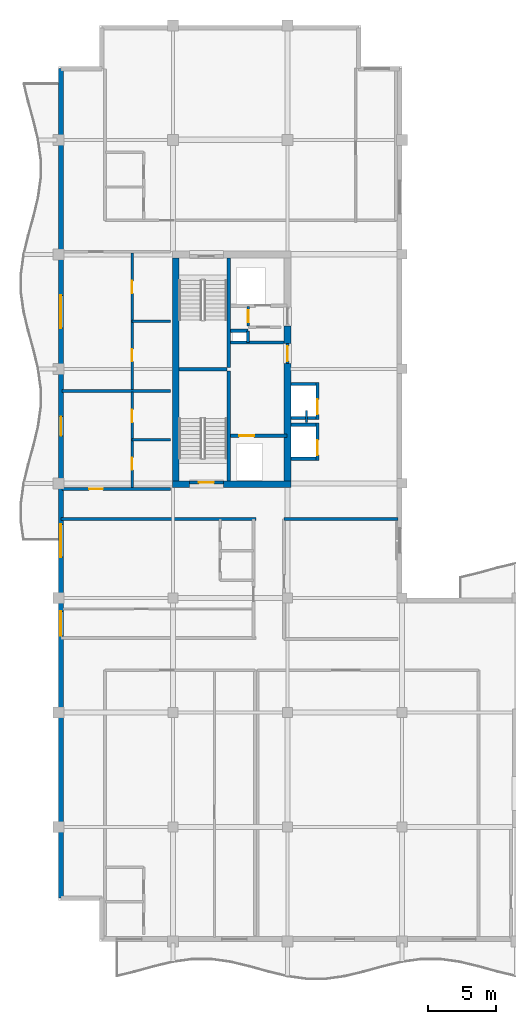
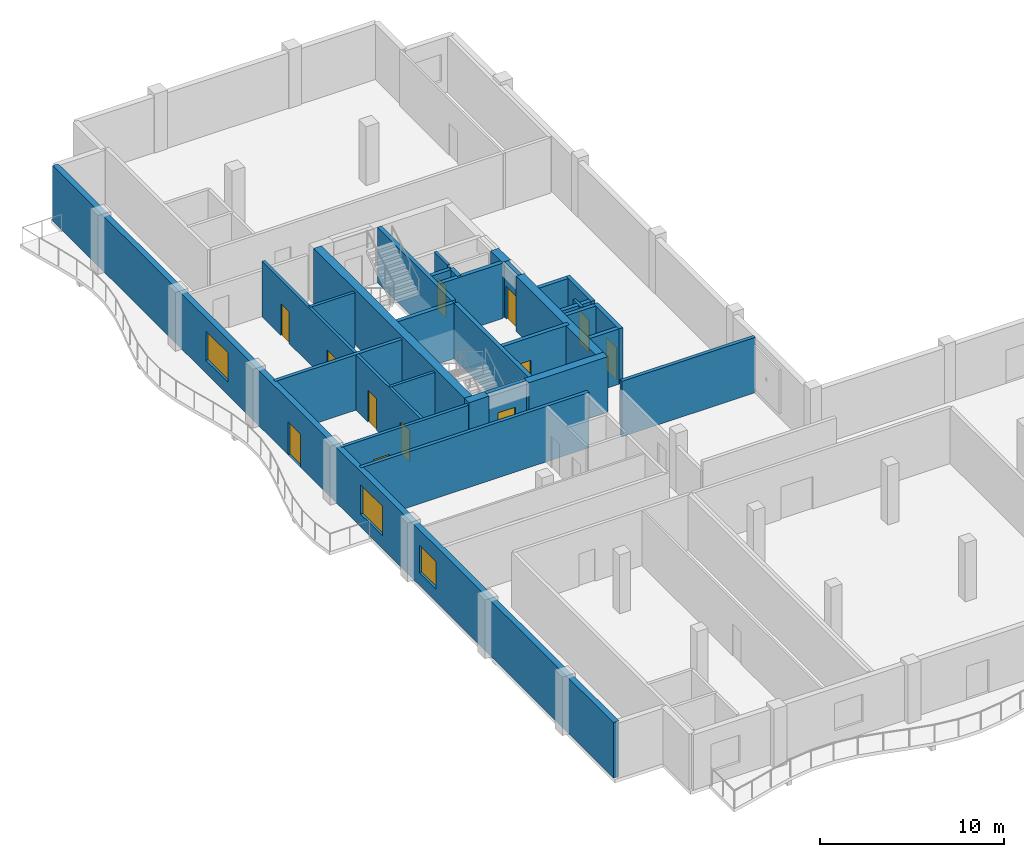
# One storey, part 6 of 11: 31 walls, 12 doors, 3 windows, 15 openings.
"""IFC4 building model written with IfcOpenShell, lengths in metres."""

from ifc_helpers import new_model, si_unit, direction, frame, frame_2d, origin, place, context, subcontext, project, spatial, rectangle, extrude, material, layer, layer_set, type_object, element, fill, save


model = new_model("IFC4")

# Units and contexts
model_context = context("Model", 3, precision=1e-05, world=origin(), true_north=direction((0.0, 1.0)))
body_context = subcontext(model_context, "Body", "Model", "MODEL_VIEW")
ifc_project = project(units=[si_unit("LENGTHUNIT", "METRE"), si_unit("AREAUNIT", "SQUARE_METRE"), si_unit("VOLUMEUNIT", "CUBIC_METRE"), si_unit("PLANEANGLEUNIT", "RADIAN"), si_unit("MASSUNIT", "GRAM", prefix="KILO")], contexts=[model_context])

# Site, building, storey
site_placement = place(None, origin())
site = spatial("IfcSite", under=ifc_project, at=site_placement, CompositionType="ELEMENT")
building_placement = place(site_placement, origin())
building = spatial("IfcBuilding", under=site, at=building_placement, Name="Koriwani Terraces Tower", CompositionType="ELEMENT")
storey_placement = place(building_placement, frame((0.0, 0.0, 343.699951171875)))
storey = spatial("IfcBuildingStorey", under=building, at=storey_placement, Name="L85", CompositionType="ELEMENT", Elevation=343.699951171875)

# Walls
ifc_material_1 = material(Name="Concrete C50/60", Category="concrete")
ifc_layer_1 = layer(ifc_material_1, 0.5, Name="Concrete C50/60")
ifc_layer_set_1 = layer_set([ifc_layer_1], Name="Concrete C50/60")
wall_type_1 = type_object("IfcWallType", Name="WALL_CORE_RC_500", PredefinedType="SHEAR", material=ifc_layer_set_1)
wall_1_placement = place(storey_placement, frame((16.75, 41.949951171875, 0.0), z_axis=(0.0, 0.0, 1.0), x_axis=(1.0, 0.0, 0.0)))
element("IfcWall", 1, at=wall_1_placement, inside=storey, type_object=wall_type_1, Name="L85 West Split Core Shear Wall S1", PredefinedType="SHEAR", context=body_context, shape_type="SweptSolid", body=[
    extrude(rectangle(XDim=1.25, YDim=0.5, at=frame_2d((0.625, 0.0))), origin(), (0.0, 0.0, 1.0), 3.670166015625),
])
wall_2_placement = place(storey_placement, frame((20.5, 41.949951171875, 0.0), z_axis=(0.0, 0.0, 1.0), x_axis=(1.0, 0.0, 0.0)))
element("IfcWall", 2, at=wall_2_placement, inside=storey, type_object=wall_type_1, Name="L85 West Split Core Shear Wall S2", PredefinedType="SHEAR", context=body_context, shape_type="SweptSolid", body=[
    extrude(rectangle(XDim=4.949951171875, YDim=0.5, at=frame_2d((2.47509765625, 0.0))), origin(), (0.0, 0.0, 1.0), 3.670166015625),
])
wall_3_placement = place(storey_placement, frame((17.0, 42.199951171875, 0.0), z_axis=(0.0, 0.0, 1.0), x_axis=(0.0, 1.0, 0.0)))
element("IfcWall", 3, at=wall_3_placement, inside=storey, type_object=wall_type_1, Name="L85 West Split Core Shear Wall W1", PredefinedType="SHEAR", context=body_context, shape_type="SweptSolid", body=[
    extrude(rectangle(XDim=16.35009765625, YDim=0.5, at=frame_2d((8.175048828125, 0.0))), origin(), (0.0, 0.0, 1.0), 3.670166015625),
])
wall_4_placement = place(storey_placement, frame((25.199951171875, 42.199951171875, 0.0), z_axis=(0.0, 0.0, 1.0), x_axis=(0.0, 1.0, 0.0)))
element("IfcWall", 4, at=wall_4_placement, inside=storey, type_object=wall_type_1, Name="L85 West Split Core Shear Wall E1", PredefinedType="SHEAR", context=body_context, shape_type="SweptSolid", body=[
    extrude(rectangle(XDim=8.60009765625, YDim=0.5, at=frame_2d((4.300048828125, 0.0))), origin(), (0.0, 0.0, 1.0), 3.670166015625),
])
wall_5_placement = place(storey_placement, frame((25.199951171875, 52.280029296875, 0.0), z_axis=(0.0, 0.0, 1.0), x_axis=(0.0, 1.0, 0.0)))
element("IfcWall", 5, at=wall_5_placement, inside=storey, type_object=wall_type_1, Name="L85 West Split Core Shear Wall E2", PredefinedType="SHEAR", context=body_context, shape_type="SweptSolid", body=[
    extrude(rectangle(XDim=1.27001953125, YDim=0.5, at=frame_2d((0.635009765625, 0.0))), origin(), (0.0, 0.0, 1.0), 3.670166015625),
])

# Wall, opening, door
ifc_material_2 = material(Name="Autoclaved Cellular Concrete Blockwork", Category="masonry")
ifc_layer_2 = layer(ifc_material_2, 0.199951171875, Name="Autoclaved Cellular Concrete Blockwork")
ifc_layer_set_2 = layer_set([ifc_layer_2], Name="Autoclaved Cellular Concrete Blockwork")
wall_type_2 = type_object("IfcWallType", Name="WALL_CORRIDOR_200", PredefinedType="PARTITIONING", material=ifc_layer_set_2)
wall_6_placement = place(storey_placement, frame((8.64990234375, 41.60009765625, 0.0), z_axis=(0.0, 0.0, 1.0), x_axis=(1.0, 0.0, 0.0)))
wall_6 = element("IfcWall", 6, at=wall_6_placement, inside=storey, type_object=wall_type_2, Name="L85 Interior Wall WRZ4-WS-L85", PredefinedType="PARTITIONING", context=body_context, shape_type="SweptSolid", body=[
    extrude(rectangle(XDim=7.9501953125, YDim=0.199951171875, at=frame_2d((3.97509765625, 0.0))), origin(), (0.0, 0.0, 1.0), 3.670166015625),
])
opening_1_placement = place(wall_6_placement, frame((2.0, 0.0, 0.0)))
opening_1 = element("IfcOpeningElement", 7, at=opening_1_placement, cuts=wall_6, Name="Opening D-05", PredefinedType="OPENING", context=body_context, shape_type="SweptSolid", body=[
    extrude(rectangle(XDim=1.0, YDim=2.14990234375, at=frame_2d((0.5, 1.074951171875))), frame((0.0, 0.10986328125, 0.0), z_axis=(0.0, -1.0, 0.0), x_axis=(1.0, 0.0, 0.0)), (0.0, 0.0, 1.0), 0.219970703125),
])
ifc_material_3 = material(Name="Architectural Oak Fire Door", Category="wood")
door_type_1 = type_object("IfcDoorType", Name="DOOR_SUITE_ENTRY_1000X2150", OperationType="NOTDEFINED", PredefinedType="DOOR", material=ifc_material_3)
door_1_placement = place(opening_1_placement, origin())
door_1 = element("IfcDoor", 8, at=door_1_placement, inside=storey, type_object=door_type_1, Name="Apartment 85RW1 Entrance Door", OperationType="SINGLE_SWING_RIGHT", OverallHeight=2.14990234375, OverallWidth=1.0, PredefinedType="DOOR", context=body_context, shape_type="SweptSolid", body=[
    extrude(rectangle(XDim=1.0, YDim=2.14990234375, at=frame_2d((0.5, 1.074951171875))), frame((0.0, 0.02490234375, 0.0), z_axis=(0.0, -1.0, 0.0), x_axis=(1.0, 0.0, 0.0)), (0.0, 0.0, 1.0), 0.050048828125),
])
fill(opening_1, door_1)

# Walls
ifc_layer_3 = layer(ifc_material_2, 0.219970703125, Name="Autoclaved Cellular Concrete Blockwork")
ifc_layer_set_3 = layer_set([ifc_layer_3], Name="Autoclaved Cellular Concrete Blockwork")
wall_type_3 = type_object("IfcWallType", Name="WALL_DEMISING_220", PredefinedType="PARTITIONING", material=ifc_layer_set_3)
wall_7_placement = place(storey_placement, frame((24.949951171875, 39.39990234375, 0.0), z_axis=(0.0, 0.0, 1.0), x_axis=(1.0, 0.0, 0.0)))
element("IfcWall", 9, at=wall_7_placement, inside=storey, type_object=wall_type_3, Name="L85 Interior Wall WIC4WN-L85", PredefinedType="PARTITIONING", context=body_context, shape_type="SweptSolid", body=[
    extrude(rectangle(XDim=8.35009765625, YDim=0.219970703125, at=frame_2d((4.175048828125, 0.0))), origin(), (0.0, 0.0, 1.0), 3.670166015625),
])
wall_8_placement = place(storey_placement, frame((8.64990234375, 48.800048828125, 0.0), z_axis=(0.0, 0.0, 1.0), x_axis=(1.0, 0.0, 0.0)))
element("IfcWall", 10, at=wall_8_placement, inside=storey, type_object=wall_type_3, Name="L85 Interior Wall WRZ4-WM-L85", PredefinedType="PARTITIONING", context=body_context, shape_type="SweptSolid", body=[
    extrude(rectangle(XDim=7.9501953125, YDim=0.219970703125, at=frame_2d((3.97509765625, 0.0))), origin(), (0.0, 0.0, 1.0), 3.670166015625),
])
wall_9_placement = place(storey_placement, frame((8.60009765625, 39.39990234375, 0.0), z_axis=(0.0, 0.0, 1.0), x_axis=(1.0, 0.0, 0.0)))
element("IfcWall", 11, at=wall_9_placement, inside=storey, type_object=wall_type_3, Name="L85 Interior Wall WRDEME-L85-NE", PredefinedType="PARTITIONING", context=body_context, shape_type="SweptSolid", body=[
    extrude(rectangle(XDim=14.27978515625, YDim=0.219970703125, at=frame_2d((7.139892578125, 0.0))), origin(), (0.0, 0.0, 1.0), 3.670166015625),
])

# Wall, openings, door, windows
ifc_layer_4 = layer(ifc_material_1, 0.35009765625, Name="Concrete C50/60")
ifc_layer_set_4 = layer_set([ifc_layer_4], Name="Concrete C50/60")
wall_type_4 = type_object("IfcWallType", Name="WALL_EXT_BRUTALIST_350", PredefinedType="STANDARD", material=ifc_layer_set_4)
wall_10_placement = place(storey_placement, frame((8.574951171875, 11.574951171875, 0.0), z_axis=(0.0, 0.0, 1.0), x_axis=(0.0, 1.0, 0.0)))
wall_10 = element("IfcWall", 12, at=wall_10_placement, inside=storey, type_object=wall_type_4, Name="L85 Fair-Faced Brutalist Exterior Wall (W)", PredefinedType="STANDARD", context=body_context, shape_type="SweptSolid", body=[
    extrude(rectangle(XDim=60.85009765625, YDim=0.35009765625, at=frame_2d((30.425048828125, 0.0))), origin(), (0.0, 0.0, 1.0), 3.670166015625),
])
opening_2_placement = place(wall_10_placement, frame((33.925048828125, 0.0, 0.0)))
opening_2 = element("IfcOpeningElement", 13, at=opening_2_placement, cuts=wall_10, Name="Opening D-09", PredefinedType="OPENING", context=body_context, shape_type="SweptSolid", body=[
    extrude(rectangle(XDim=1.39990234375, YDim=2.199951171875, at=frame_2d((0.699951171875, 1.10009765625))), frame((0.0, 0.18505859375, 0.0), z_axis=(0.0, -1.0, 0.0), x_axis=(1.0, 0.0, 0.0)), (0.0, 0.0, 1.0), 0.3701171875),
])
opening_3_placement = place(wall_10_placement, frame((25.02490234375, 0.0, 0.85009765625)))
opening_3 = element("IfcOpeningElement", 14, at=opening_3_placement, cuts=wall_10, Name="Opening W-03", PredefinedType="OPENING", context=body_context, shape_type="SweptSolid", body=[
    extrude(rectangle(XDim=2.39990234375, YDim=1.949951171875, at=frame_2d((1.199951171875, 0.97509765625))), frame((0.0, 0.18505859375, 0.0), z_axis=(0.0, -1.0, 0.0), x_axis=(1.0, 0.0, 0.0)), (0.0, 0.0, 1.0), 0.3701171875),
])
opening_4_placement = place(wall_10_placement, frame((41.824951171875, 0.0, 0.85009765625)))
opening_4 = element("IfcOpeningElement", 15, at=opening_4_placement, cuts=wall_10, Name="Opening W-03", PredefinedType="OPENING", context=body_context, shape_type="SweptSolid", body=[
    extrude(rectangle(XDim=2.39990234375, YDim=1.949951171875, at=frame_2d((1.199951171875, 0.97509765625))), frame((0.0, 0.18505859375, 0.0), z_axis=(0.0, -1.0, 0.0), x_axis=(1.0, 0.0, 0.0)), (0.0, 0.0, 1.0), 0.3701171875),
])
opening_5_placement = place(wall_10_placement, frame((19.25, 0.0, 0.85009765625)))
opening_5 = element("IfcOpeningElement", 16, at=opening_5_placement, cuts=wall_10, Name="Opening W-04", PredefinedType="OPENING", context=body_context, shape_type="SweptSolid", body=[
    extrude(rectangle(XDim=1.800048828125, YDim=1.800048828125, at=frame_2d((0.89990234375, 0.89990234375))), frame((0.0, 0.18505859375, 0.0), z_axis=(0.0, -1.0, 0.0), x_axis=(1.0, 0.0, 0.0)), (0.0, 0.0, 1.0), 0.3701171875),
])
ifc_material_4 = material(Name="Anodised Bronze Aluminium", Category="aluminium")
door_type_2 = type_object("IfcDoorType", Name="DOOR_BALCONY_GLAZED_1400X2200", OperationType="NOTDEFINED", PredefinedType="DOOR", material=ifc_material_4)
door_2_placement = place(opening_2_placement, origin())
door_2 = element("IfcDoor", 17, at=door_2_placement, inside=storey, type_object=door_type_2, Name="L85 West Balcony Glazed Door", OperationType="SINGLE_SWING_LEFT", OverallHeight=2.199951171875, OverallWidth=1.39990234375, PredefinedType="DOOR", context=body_context, shape_type="SweptSolid", body=[
    extrude(rectangle(XDim=1.39990234375, YDim=2.199951171875, at=frame_2d((0.699951171875, 1.10009765625))), frame((0.0, 0.02490234375, 0.0), z_axis=(0.0, -1.0, 0.0), x_axis=(1.0, 0.0, 0.0)), (0.0, 0.0, 1.0), 0.050048828125),
])
fill(opening_2, door_2)
ifc_material_5 = material(Name="Tempered Laminated Low-E Glass", Category="glass")
window_type_1 = type_object("IfcWindowType", Name="WIN_RES_BED_1800X1800", PartitioningType="DOUBLE_PANEL_VERTICAL", PredefinedType="WINDOW", material=ifc_material_5)
window_1_placement = place(opening_5_placement, origin())
window_1 = element("IfcWindow", 18, at=window_1_placement, inside=storey, type_object=window_type_1, Name="L85 Exterior Window (W-R39)", OverallHeight=1.800048828125, OverallWidth=1.800048828125, PartitioningType="SINGLE_PANEL", PredefinedType="WINDOW", context=body_context, shape_type="SweptSolid", body=[
    extrude(rectangle(XDim=1.800048828125, YDim=1.800048828125, at=frame_2d((0.89990234375, 0.89990234375))), frame((0.0, 0.030029296875, 0.0), z_axis=(0.0, -1.0, 0.0), x_axis=(1.0, 0.0, 0.0)), (0.0, 0.0, 1.0), 0.06005859375),
])
fill(opening_5, window_1)
window_type_2 = type_object("IfcWindowType", Name="WIN_RES_LIVING_2400X1950", PartitioningType="DOUBLE_PANEL_VERTICAL", PredefinedType="WINDOW", material=ifc_material_5)
window_2_placement = place(opening_3_placement, origin())
window_2 = element("IfcWindow", 19, at=window_2_placement, inside=storey, type_object=window_type_2, Name="L85 Exterior Window (W-9)", OverallHeight=1.949951171875, OverallWidth=2.39990234375, PartitioningType="SINGLE_PANEL", PredefinedType="WINDOW", context=body_context, shape_type="SweptSolid", body=[
    extrude(rectangle(XDim=2.39990234375, YDim=1.949951171875, at=frame_2d((1.199951171875, 0.97509765625))), frame((0.0, 0.030029296875, 0.0), z_axis=(0.0, -1.0, 0.0), x_axis=(1.0, 0.0, 0.0)), (0.0, 0.0, 1.0), 0.06005859375),
])
fill(opening_3, window_2)
window_3_placement = place(opening_4_placement, origin())
window_3 = element("IfcWindow", 20, at=window_3_placement, inside=storey, type_object=window_type_2, Name="L85 Exterior Window (W-15)", OverallHeight=1.949951171875, OverallWidth=2.39990234375, PartitioningType="SINGLE_PANEL", PredefinedType="WINDOW", context=body_context, shape_type="SweptSolid", body=[
    extrude(rectangle(XDim=2.39990234375, YDim=1.949951171875, at=frame_2d((1.199951171875, 0.97509765625))), frame((0.0, 0.030029296875, 0.0), z_axis=(0.0, -1.0, 0.0), x_axis=(1.0, 0.0, 0.0)), (0.0, 0.0, 1.0), 0.06005859375),
])
fill(opening_4, window_3)

# Wall, openings, doors
ifc_material_6 = material(Name="Fire-Rated Acoustic Gypsum Partition", Category="masonry")
ifc_layer_5 = layer(ifc_material_6, 0.179931640625, Name="Fire-Rated Acoustic Gypsum Partition")
ifc_layer_set_5 = layer_set([ifc_layer_5], Name="Fire-Rated Acoustic Gypsum Partition")
wall_type_5 = type_object("IfcWallType", Name="WALL_PLUMBING_180", PredefinedType="PLUMBINGWALL", material=ifc_layer_set_5)
wall_11_placement = place(storey_placement, frame((13.800048828125, 41.699951171875, 0.0), z_axis=(0.0, 0.0, 1.0), x_axis=(0.0, 1.0, 0.0)))
wall_11 = element("IfcWall", 21, at=wall_11_placement, inside=storey, type_object=wall_type_5, Name="L85 Interior Wall WRZ4-RW1-PB-L85", PredefinedType="PLUMBINGWALL", context=body_context, shape_type="SweptSolid", body=[
    extrude(rectangle(XDim=7.0, YDim=0.179931640625, at=frame_2d((3.5, 0.0))), origin(), (0.0, 0.0, 1.0), 3.670166015625),
])
opening_6_placement = place(wall_11_placement, frame((1.300048828125, 0.0, 0.0)))
opening_6 = element("IfcOpeningElement", 22, at=opening_6_placement, cuts=wall_11, Name="Opening D-07", PredefinedType="OPENING", context=body_context, shape_type="SweptSolid", body=[
    extrude(rectangle(XDim=0.89990234375, YDim=2.10009765625, at=frame_2d((0.449951171875, 1.050048828125))), frame((0.0, 0.10009765625, 0.0), z_axis=(0.0, -1.0, 0.0), x_axis=(1.0, 0.0, 0.0)), (0.0, 0.0, 1.0), 0.199951171875),
])
opening_7_placement = place(wall_11_placement, frame((4.7900390625, 0.0, 0.0)))
opening_7 = element("IfcOpeningElement", 23, at=opening_7_placement, cuts=wall_11, Name="Opening D-06", PredefinedType="OPENING", context=body_context, shape_type="SweptSolid", body=[
    extrude(rectangle(XDim=0.919921875, YDim=2.10009765625, at=frame_2d((0.4599609375, 1.050048828125))), frame((0.0, 0.10009765625, 0.0), z_axis=(0.0, -1.0, 0.0), x_axis=(1.0, 0.0, 0.0)), (0.0, 0.0, 1.0), 0.199951171875),
])
door_type_3 = type_object("IfcDoorType", Name="DOOR_BATH_INT_900X2100", OperationType="NOTDEFINED", PredefinedType="DOOR", material=ifc_material_3)
door_3_placement = place(opening_6_placement, origin())
door_3 = element("IfcDoor", 24, at=door_3_placement, inside=storey, type_object=door_type_3, Name="Apartment 85RW1 Bathroom Door", OperationType="SINGLE_SWING_RIGHT", OverallHeight=2.10009765625, OverallWidth=0.89990234375, PredefinedType="DOOR", context=body_context, shape_type="SweptSolid", body=[
    extrude(rectangle(XDim=0.89990234375, YDim=2.10009765625, at=frame_2d((0.449951171875, 1.050048828125))), frame((0.0, 0.02490234375, 0.0), z_axis=(0.0, -1.0, 0.0), x_axis=(1.0, 0.0, 0.0)), (0.0, 0.0, 1.0), 0.050048828125),
])
fill(opening_6, door_3)
door_type_4 = type_object("IfcDoorType", Name="DOOR_ROOM_INT_920X2100", OperationType="NOTDEFINED", PredefinedType="DOOR", material=ifc_material_3)
door_4_placement = place(opening_7_placement, origin())
door_4 = element("IfcDoor", 25, at=door_4_placement, inside=storey, type_object=door_type_4, Name="Apartment 85RW1 Kitchen Door", OperationType="SINGLE_SWING_LEFT", OverallHeight=2.10009765625, OverallWidth=0.919921875, PredefinedType="DOOR", context=body_context, shape_type="SweptSolid", body=[
    extrude(rectangle(XDim=0.919921875, YDim=2.10009765625, at=frame_2d((0.4599609375, 1.050048828125))), frame((0.0, 0.02490234375, 0.0), z_axis=(0.0, -1.0, 0.0), x_axis=(1.0, 0.0, 0.0)), (0.0, 0.0, 1.0), 0.050048828125),
])
fill(opening_7, door_4)

# Wall
wall_12_placement = place(storey_placement, frame((13.800048828125, 45.199951171875, 0.0), z_axis=(0.0, 0.0, 1.0), x_axis=(1.0, 0.0, 0.0)))
element("IfcWall", 26, at=wall_12_placement, inside=storey, type_object=wall_type_5, Name="L85 Interior Wall WRZ4-RW1-P2-L85", PredefinedType="PLUMBINGWALL", context=body_context, shape_type="SweptSolid", body=[
    extrude(rectangle(XDim=2.800048828125, YDim=0.179931640625, at=frame_2d((1.39990234375, 0.0))), origin(), (0.0, 0.0, 1.0), 3.670166015625),
])

# Wall, openings, doors
wall_13_placement = place(storey_placement, frame((13.800048828125, 48.89990234375, 0.0), z_axis=(0.0, 0.0, 1.0), x_axis=(0.0, 1.0, 0.0)))
wall_13 = element("IfcWall", 27, at=wall_13_placement, inside=storey, type_object=wall_type_5, Name="L85 Interior Wall WRZ4-RW2-PB-L85", PredefinedType="PLUMBINGWALL", context=body_context, shape_type="SweptSolid", body=[
    extrude(rectangle(XDim=10.0, YDim=0.179931640625, at=frame_2d((5.0, 0.0))), origin(), (0.0, 0.0, 1.0), 3.670166015625),
])
opening_8_placement = place(wall_13_placement, frame((2.050048828125, 0.0, 0.0)))
opening_8 = element("IfcOpeningElement", 28, at=opening_8_placement, cuts=wall_13, Name="Opening D-07", PredefinedType="OPENING", context=body_context, shape_type="SweptSolid", body=[
    extrude(rectangle(XDim=0.89990234375, YDim=2.10009765625, at=frame_2d((0.449951171875, 1.050048828125))), frame((0.0, 0.10009765625, 0.0), z_axis=(0.0, -1.0, 0.0), x_axis=(1.0, 0.0, 0.0)), (0.0, 0.0, 1.0), 0.199951171875),
])
opening_9_placement = place(wall_13_placement, frame((7.0400390625, 0.0, 0.0)))
opening_9 = element("IfcOpeningElement", 29, at=opening_9_placement, cuts=wall_13, Name="Opening D-06", PredefinedType="OPENING", context=body_context, shape_type="SweptSolid", body=[
    extrude(rectangle(XDim=0.919921875, YDim=2.10009765625, at=frame_2d((0.4599609375, 1.050048828125))), frame((0.0, 0.10009765625, 0.0), z_axis=(0.0, -1.0, 0.0), x_axis=(1.0, 0.0, 0.0)), (0.0, 0.0, 1.0), 0.199951171875),
])
door_5_placement = place(opening_8_placement, origin())
door_5 = element("IfcDoor", 30, at=door_5_placement, inside=storey, type_object=door_type_3, Name="Apartment 85RW2 Bathroom Door", OperationType="SINGLE_SWING_RIGHT", OverallHeight=2.10009765625, OverallWidth=0.89990234375, PredefinedType="DOOR", context=body_context, shape_type="SweptSolid", body=[
    extrude(rectangle(XDim=0.89990234375, YDim=2.10009765625, at=frame_2d((0.449951171875, 1.050048828125))), frame((0.0, 0.02490234375, 0.0), z_axis=(0.0, -1.0, 0.0), x_axis=(1.0, 0.0, 0.0)), (0.0, 0.0, 1.0), 0.050048828125),
])
fill(opening_8, door_5)
door_6_placement = place(opening_9_placement, origin())
door_6 = element("IfcDoor", 31, at=door_6_placement, inside=storey, type_object=door_type_4, Name="Apartment 85RW2 Kitchen Door", OperationType="SINGLE_SWING_LEFT", OverallHeight=2.10009765625, OverallWidth=0.919921875, PredefinedType="DOOR", context=body_context, shape_type="SweptSolid", body=[
    extrude(rectangle(XDim=0.919921875, YDim=2.10009765625, at=frame_2d((0.4599609375, 1.050048828125))), frame((0.0, 0.02490234375, 0.0), z_axis=(0.0, -1.0, 0.0), x_axis=(1.0, 0.0, 0.0)), (0.0, 0.0, 1.0), 0.050048828125),
])
fill(opening_9, door_6)

# Walls
wall_14_placement = place(storey_placement, frame((13.800048828125, 53.89990234375, 0.0), z_axis=(0.0, 0.0, 1.0), x_axis=(1.0, 0.0, 0.0)))
element("IfcWall", 32, at=wall_14_placement, inside=storey, type_object=wall_type_5, Name="L85 Interior Wall WRZ4-RW2-P2-L85", PredefinedType="PLUMBINGWALL", context=body_context, shape_type="SweptSolid", body=[
    extrude(rectangle(XDim=2.800048828125, YDim=0.179931640625, at=frame_2d((1.39990234375, 0.0))), origin(), (0.0, 0.0, 1.0), 3.670166015625),
])
ifc_material_7 = material(Name="Concrete C40/50", Category="concrete")
ifc_layer_6 = layer(ifc_material_7, 0.25, Name="Concrete C40/50")
ifc_layer_set_6 = layer_set([ifc_layer_6], Name="Concrete C40/50")
wall_type_6 = type_object("IfcWallType", Name="WALL_SHAFT_RATED_250", PredefinedType="SOLIDWALL", material=ifc_layer_set_6)
for number, where, z_axis, x_axis, name in (
    (33, (20.875, 42.199951171875, 0.0), (0.0, 0.0, 1.0), (0.0, 1.0, 0.0), "L85 West Split Core Web Wall MID1"),
    (34, (20.875, 50.5, 0.0), (0.0, 0.0, 1.0), (0.0, 1.0, 0.0), "L85 West Split Core Web Wall MID2"),
):
    element("IfcWall", number, at=place(storey_placement, frame(where, z_axis=z_axis, x_axis=x_axis)), inside=storey, type_object=wall_type_6, Name=name, PredefinedType="SOLIDWALL", context=body_context, shape_type="SweptSolid", body=[
        extrude(rectangle(XDim=8.050048828125, YDim=0.25, at=frame_2d((4.02490234375, 0.0))), origin(), (0.0, 0.0, 1.0), 3.670166015625),
    ])
wall_15_placement = place(storey_placement, frame((17.25, 50.375, 0.0), z_axis=(0.0, 0.0, 1.0), x_axis=(1.0, 0.0, 0.0)))
element("IfcWall", 35, at=wall_15_placement, inside=storey, type_object=wall_type_6, Name="L85 West Split Core Stair Dividing Wall", PredefinedType="SOLIDWALL", context=body_context, shape_type="SweptSolid", body=[
    extrude(rectangle(XDim=3.5, YDim=0.25, at=frame_2d((1.75, 0.0))), origin(), (0.0, 0.0, 1.0), 3.670166015625),
])

# Wall, opening, door
wall_16_placement = place(storey_placement, frame((18.0, 42.074951171875, 0.0), z_axis=(0.0, 0.0, 1.0), x_axis=(1.0, 0.0, 0.0)))
wall_16 = element("IfcWall", 36, at=wall_16_placement, inside=storey, type_object=wall_type_6, Name="L85 Interior Wall WIN-CW-L85-STS", PredefinedType="SOLIDWALL", context=body_context, shape_type="SweptSolid", body=[
    extrude(rectangle(XDim=2.5, YDim=0.25, at=frame_2d((1.25, 0.0))), origin(), (0.0, 0.0, 1.0), 3.670166015625),
])
opening_10_placement = place(wall_16_placement, frame((0.699951171875, 0.0, 0.0)))
opening_10 = element("IfcOpeningElement", 37, at=opening_10_placement, cuts=wall_16, Name="Opening D-03", PredefinedType="OPENING", context=body_context, shape_type="SweptSolid", body=[
    extrude(rectangle(XDim=1.10009765625, YDim=2.14990234375, at=frame_2d((0.550048828125, 1.074951171875))), frame((0.0, 0.135009765625, 0.0), z_axis=(0.0, -1.0, 0.0), x_axis=(1.0, 0.0, 0.0)), (0.0, 0.0, 1.0), 0.27001953125),
])
ifc_material_8 = material(Name="Steel ASTM A572 Grade 50", Category="steel")
door_type_5 = type_object("IfcDoorType", Name="DOOR_STAIR_FIRE_1100X2150", OperationType="NOTDEFINED", PredefinedType="DOOR", material=ifc_material_8)
door_7_placement = place(opening_10_placement, origin())
door_7 = element("IfcDoor", 38, at=door_7_placement, inside=storey, type_object=door_type_5, Name="L85 Exit Stair ST-W1 Door", OperationType="SINGLE_SWING_LEFT", OverallHeight=2.14990234375, OverallWidth=1.10009765625, PredefinedType="DOOR", context=body_context, shape_type="SweptSolid", body=[
    extrude(rectangle(XDim=1.10009765625, YDim=2.14990234375, at=frame_2d((0.550048828125, 1.074951171875))), frame((0.0, 0.02490234375, 0.0), z_axis=(0.0, -1.0, 0.0), x_axis=(1.0, 0.0, 0.0)), (0.0, 0.0, 1.0), 0.050048828125),
])
fill(opening_10, door_7)

wall_17_placement = place(storey_placement, frame((21.0, 45.5, 0.0), z_axis=(0.0, 0.0, 1.0), x_axis=(1.0, 0.0, 0.0)))
wall_17 = element("IfcWall", 39, at=wall_17_placement, inside=storey, type_object=wall_type_6, Name="L85 Interior Wall WIN-CW-L85-FE", PredefinedType="SOLIDWALL", context=body_context, shape_type="SweptSolid", body=[
    extrude(rectangle(XDim=4.14990234375, YDim=0.25, at=frame_2d((2.074951171875, 0.0))), origin(), (0.0, 0.0, 1.0), 3.670166015625),
])
opening_11_placement = place(wall_17_placement, frame((0.64990234375, 0.0, 0.0)))
opening_11 = element("IfcOpeningElement", 40, at=opening_11_placement, cuts=wall_17, Name="Opening LD-01", PredefinedType="OPENING", context=body_context, shape_type="SweptSolid", body=[
    extrude(rectangle(XDim=1.10009765625, YDim=2.14990234375, at=frame_2d((0.550048828125, 1.074951171875))), frame((0.0, 0.135009765625, 0.0), z_axis=(0.0, -1.0, 0.0), x_axis=(1.0, 0.0, 0.0)), (0.0, 0.0, 1.0), 0.27001953125),
])
door_type_6 = type_object("IfcDoorType", Name="DOOR_LIFT_LANDING_1100X2200", OperationType="NOTDEFINED", PredefinedType="DOOR", material=ifc_material_8)
door_8_placement = place(opening_11_placement, origin())
door_8 = element("IfcDoor", 41, at=door_8_placement, inside=storey, type_object=door_type_6, Name="L85 Firefighting Lift FE-01 Landing Door", OperationType="SLIDING_TO_LEFT", OverallHeight=2.14990234375, OverallWidth=1.10009765625, PredefinedType="DOOR", context=body_context, shape_type="SweptSolid", body=[
    extrude(rectangle(XDim=1.10009765625, YDim=2.14990234375, at=frame_2d((0.550048828125, 1.074951171875))), frame((0.0, 0.02490234375, 0.0), z_axis=(0.0, -1.0, 0.0), x_axis=(1.0, 0.0, 0.0)), (0.0, 0.0, 1.0), 0.050048828125),
])
fill(opening_11, door_8)

wall_18_placement = place(storey_placement, frame((25.199951171875, 50.800048828125, 0.0), z_axis=(0.0, 0.0, 1.0), x_axis=(0.0, 1.0, 0.0)))
wall_18 = element("IfcWall", 42, at=wall_18_placement, inside=storey, type_object=wall_type_6, Name="L85 Interior Wall WIN-CW-L85-EP", PredefinedType="SOLIDWALL", context=body_context, shape_type="SweptSolid", body=[
    extrude(rectangle(XDim=1.47998046875, YDim=0.25, at=frame_2d((0.739990234375, 0.0))), origin(), (0.0, 0.0, 1.0), 3.670166015625),
])
opening_12_placement = place(wall_18_placement, frame((0.179931640625, 0.0, 0.0)))
opening_12 = element("IfcOpeningElement", 43, at=opening_12_placement, cuts=wall_18, Name="Opening D-03", PredefinedType="OPENING", context=body_context, shape_type="SweptSolid", body=[
    extrude(rectangle(XDim=1.10009765625, YDim=2.14990234375, at=frame_2d((0.550048828125, 1.074951171875))), frame((0.0, 0.135009765625, 0.0), z_axis=(0.0, -1.0, 0.0), x_axis=(1.0, 0.0, 0.0)), (0.0, 0.0, 1.0), 0.27001953125),
])
door_9_placement = place(opening_12_placement, origin())
door_9 = element("IfcDoor", 44, at=door_9_placement, inside=storey, type_object=door_type_5, Name="L85 West Firefighting Lobby Door", OperationType="SINGLE_SWING_LEFT", OverallHeight=2.14990234375, OverallWidth=1.10009765625, PredefinedType="DOOR", context=body_context, shape_type="SweptSolid", body=[
    extrude(rectangle(XDim=1.10009765625, YDim=2.14990234375, at=frame_2d((0.550048828125, 1.074951171875))), frame((0.0, 0.02490234375, 0.0), z_axis=(0.0, -1.0, 0.0), x_axis=(1.0, 0.0, 0.0)), (0.0, 0.0, 1.0), 0.050048828125),
])
fill(opening_12, door_9)

# Walls
wall_19_placement = place(storey_placement, frame((21.0, 52.340087890625, 0.0), z_axis=(0.0, 0.0, 1.0), x_axis=(1.0, 0.0, 0.0)))
element("IfcWall", 45, at=wall_19_placement, inside=storey, type_object=wall_type_6, Name="L85 Interior Wall WIN-CW-L85-FFN", PredefinedType="SOLIDWALL", context=body_context, shape_type="SweptSolid", body=[
    extrude(rectangle(XDim=3.949951171875, YDim=0.25, at=frame_2d((1.97509765625, 0.0))), origin(), (0.0, 0.0, 1.0), 3.670166015625),
])
wall_20_placement = place(storey_placement, frame((21.0, 53.199951171875, 0.0), z_axis=(0.0, 0.0, 1.0), x_axis=(1.0, 0.0, 0.0)))
element("IfcWall", 46, at=wall_20_placement, inside=storey, type_object=wall_type_6, Name="L85 Interior Wall WIN-CW-L85-RS1", PredefinedType="SOLIDWALL", context=body_context, shape_type="SweptSolid", body=[
    extrude(rectangle(XDim=1.300048828125, YDim=0.25, at=frame_2d((0.64990234375, 0.0))), origin(), (0.0, 0.0, 1.0), 3.670166015625),
])
wall_21_placement = place(storey_placement, frame((22.300048828125, 52.360107421875, 0.0), z_axis=(0.0, 0.0, 1.0), x_axis=(0.0, 1.0, 0.0)))
element("IfcWall", 47, at=wall_21_placement, inside=storey, type_object=wall_type_6, Name="L85 Interior Wall WIN-CW-L85-RS2", PredefinedType="SOLIDWALL", context=body_context, shape_type="SweptSolid", body=[
    extrude(rectangle(XDim=0.83984375, YDim=0.25, at=frame_2d((0.419921875, 0.0))), origin(), (0.0, 0.0, 1.0), 3.670166015625),
])

# Wall, opening, door
wall_22_placement = place(storey_placement, frame((27.39990234375, 43.675048828125, 0.0), z_axis=(0.0, 0.0, 1.0), x_axis=(0.0, 1.0, 0.0)))
wall_22 = element("IfcWall", 48, at=wall_22_placement, inside=storey, type_object=wall_type_6, Name="L85 Interior Wall WIN-LF-PE-H1-L85-F", PredefinedType="SOLIDWALL", context=body_context, shape_type="SweptSolid", body=[
    extrude(rectangle(XDim=2.75, YDim=0.25, at=frame_2d((1.375, 0.0))), origin(), (0.0, 0.0, 1.0), 3.670166015625),
])
opening_13_placement = place(wall_22_placement, frame((0.39990234375, 0.0, 0.0)))
opening_13 = element("IfcOpeningElement", 49, at=opening_13_placement, cuts=wall_22, Name="Opening LD-01", PredefinedType="OPENING", context=body_context, shape_type="SweptSolid", body=[
    extrude(rectangle(XDim=1.10009765625, YDim=2.14990234375, at=frame_2d((0.550048828125, 1.074951171875))), frame((0.0, 0.135009765625, 0.0), z_axis=(0.0, -1.0, 0.0), x_axis=(1.0, 0.0, 0.0)), (0.0, 0.0, 1.0), 0.27001953125),
])
door_10_placement = place(opening_13_placement, origin())
door_10 = element("IfcDoor", 50, at=door_10_placement, inside=storey, type_object=door_type_6, Name="L85 Passenger Lift PE-H1 Landing Door", OperationType="SLIDING_TO_LEFT", OverallHeight=2.14990234375, OverallWidth=1.10009765625, PredefinedType="DOOR", context=body_context, shape_type="SweptSolid", body=[
    extrude(rectangle(XDim=1.10009765625, YDim=2.14990234375, at=frame_2d((0.550048828125, 1.074951171875))), frame((0.0, 0.02490234375, 0.0), z_axis=(0.0, -1.0, 0.0), x_axis=(1.0, 0.0, 0.0)), (0.0, 0.0, 1.0), 0.050048828125),
])
fill(opening_13, door_10)

# Walls
for number, where, z_axis, x_axis, name in (
    (51, (25.449951171875, 43.800048828125, 0.0), (0.0, 0.0, 1.0), (1.0, 0.0, 0.0), "L85 Interior Wall WIN-LF-PE-H1-L85-S"),
    (52, (25.449951171875, 46.300048828125, 0.0), (0.0, 0.0, 1.0), (1.0, 0.0, 0.0), "L85 Interior Wall WIN-LF-PE-H1-L85-N"),
):
    element("IfcWall", number, at=place(storey_placement, frame(where, z_axis=z_axis, x_axis=x_axis)), inside=storey, type_object=wall_type_6, Name=name, PredefinedType="SOLIDWALL", context=body_context, shape_type="SweptSolid", body=[
        extrude(rectangle(XDim=1.824951171875, YDim=0.25, at=frame_2d((0.91259765625, 0.0))), origin(), (0.0, 0.0, 1.0), 3.670166015625),
    ])

# Wall, opening, door
wall_23_placement = place(storey_placement, frame((27.39990234375, 46.675048828125, 0.0), z_axis=(0.0, 0.0, 1.0), x_axis=(0.0, 1.0, 0.0)))
wall_23 = element("IfcWall", 53, at=wall_23_placement, inside=storey, type_object=wall_type_6, Name="L85 Interior Wall WIN-LF-PE-H2-L85-F", PredefinedType="SOLIDWALL", context=body_context, shape_type="SweptSolid", body=[
    extrude(rectangle(XDim=2.75, YDim=0.25, at=frame_2d((1.375, 0.0))), origin(), (0.0, 0.0, 1.0), 3.670166015625),
])
opening_14_placement = place(wall_23_placement, frame((0.39990234375, 0.0, 0.0)))
opening_14 = element("IfcOpeningElement", 54, at=opening_14_placement, cuts=wall_23, Name="Opening LD-01", PredefinedType="OPENING", context=body_context, shape_type="SweptSolid", body=[
    extrude(rectangle(XDim=1.10009765625, YDim=2.14990234375, at=frame_2d((0.550048828125, 1.074951171875))), frame((0.0, 0.135009765625, 0.0), z_axis=(0.0, -1.0, 0.0), x_axis=(1.0, 0.0, 0.0)), (0.0, 0.0, 1.0), 0.27001953125),
])
door_11_placement = place(opening_14_placement, origin())
door_11 = element("IfcDoor", 55, at=door_11_placement, inside=storey, type_object=door_type_6, Name="L85 Passenger Lift PE-H2 Landing Door", OperationType="SLIDING_TO_LEFT", OverallHeight=2.14990234375, OverallWidth=1.10009765625, PredefinedType="DOOR", context=body_context, shape_type="SweptSolid", body=[
    extrude(rectangle(XDim=1.10009765625, YDim=2.14990234375, at=frame_2d((0.550048828125, 1.074951171875))), frame((0.0, 0.02490234375, 0.0), z_axis=(0.0, -1.0, 0.0), x_axis=(1.0, 0.0, 0.0)), (0.0, 0.0, 1.0), 0.050048828125),
])
fill(opening_14, door_11)

# Walls
for number, where, z_axis, x_axis, name in (
    (56, (25.449951171875, 46.800048828125, 0.0), (0.0, 0.0, 1.0), (1.0, 0.0, 0.0), "L85 Interior Wall WIN-LF-PE-H2-L85-S"),
    (57, (25.449951171875, 49.300048828125, 0.0), (0.0, 0.0, 1.0), (1.0, 0.0, 0.0), "L85 Interior Wall WIN-LF-PE-H2-L85-N"),
):
    element("IfcWall", number, at=place(storey_placement, frame(where, z_axis=z_axis, x_axis=x_axis)), inside=storey, type_object=wall_type_6, Name=name, PredefinedType="SOLIDWALL", context=body_context, shape_type="SweptSolid", body=[
        extrude(rectangle(XDim=1.824951171875, YDim=0.25, at=frame_2d((0.91259765625, 0.0))), origin(), (0.0, 0.0, 1.0), 3.670166015625),
    ])

# Wall, opening, door
ifc_layer_7 = layer(ifc_material_6, 0.159912109375, Name="Fire-Rated Acoustic Gypsum Partition")
ifc_layer_set_7 = layer_set([ifc_layer_7], Name="Fire-Rated Acoustic Gypsum Partition")
wall_type_7 = type_object("IfcWallType", Name="WALL_SUITE_160", PredefinedType="PARTITIONING", material=ifc_layer_set_7)
wall_24_placement = place(storey_placement, frame((22.320068359375, 53.56005859375, 0.0), z_axis=(0.0, 0.0, 1.0), x_axis=(0.0, 1.0, 0.0)))
wall_24 = element("IfcWall", 58, at=wall_24_placement, inside=storey, type_object=wall_type_7, Name="L85 Interior Wall WIN-CW-L85-SV1A", PredefinedType="PARTITIONING", context=body_context, shape_type="SweptSolid", body=[
    extrude(rectangle(XDim=1.43994140625, YDim=0.159912109375, at=frame_2d((0.719970703125, 0.0))), origin(), (0.0, 0.0, 1.0), 3.670166015625),
])
opening_15_placement = place(wall_24_placement, frame((0.260009765625, 0.0, 0.0)))
opening_15 = element("IfcOpeningElement", 59, at=opening_15_placement, cuts=wall_24, Name="Opening D-07", PredefinedType="OPENING", context=body_context, shape_type="SweptSolid", body=[
    extrude(rectangle(XDim=0.89990234375, YDim=2.10009765625, at=frame_2d((0.449951171875, 1.050048828125))), frame((0.0, 0.08984375, 0.0), z_axis=(0.0, -1.0, 0.0), x_axis=(1.0, 0.0, 0.0)), (0.0, 0.0, 1.0), 0.179931640625),
])
door_12_placement = place(opening_15_placement, origin())
door_12 = element("IfcDoor", 60, at=door_12_placement, inside=storey, type_object=door_type_3, Name="L85 West Telecom Room Door", OperationType="SINGLE_SWING_LEFT", OverallHeight=2.10009765625, OverallWidth=0.89990234375, PredefinedType="DOOR", context=body_context, shape_type="SweptSolid", body=[
    extrude(rectangle(XDim=0.89990234375, YDim=2.10009765625, at=frame_2d((0.449951171875, 1.050048828125))), frame((0.0, 0.02490234375, 0.0), z_axis=(0.0, -1.0, 0.0), x_axis=(1.0, 0.0, 0.0)), (0.0, 0.0, 1.0), 0.050048828125),
])
fill(opening_15, door_12)

# Wall
wall_25_placement = place(storey_placement, frame((26.60009765625, 46.4599609375, 0.0), z_axis=(0.0, 0.0, 1.0), x_axis=(0.0, 1.0, 0.0)))
element("IfcWall", 61, at=wall_25_placement, inside=storey, type_object=wall_type_7, Name="L85 Interior Wall WIN-LF-PEH12-MID-L85", PredefinedType="PARTITIONING", context=body_context, shape_type="SweptSolid", body=[
    extrude(rectangle(XDim=0.880126953125, YDim=0.159912109375, at=frame_2d((0.43994140625, 0.0))), origin(), (0.0, 0.0, 1.0), 3.670166015625),
])

save(model, "model.ifc")
